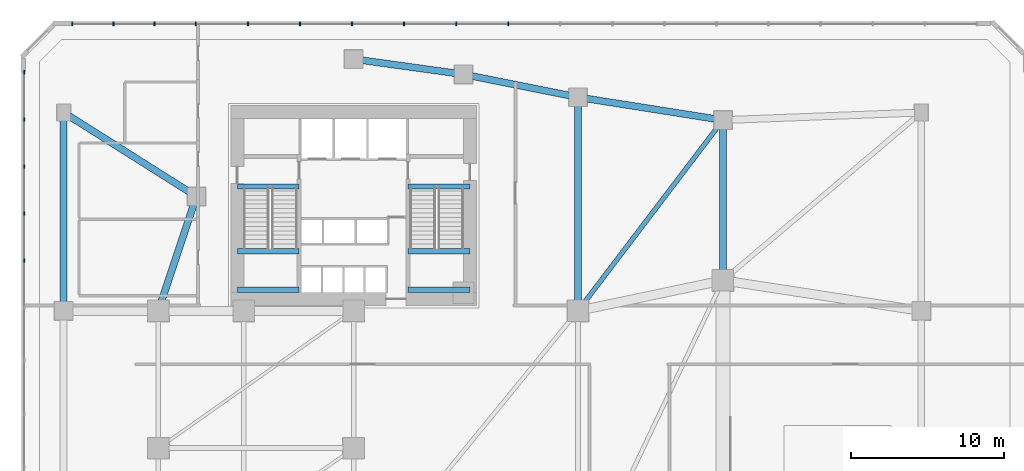
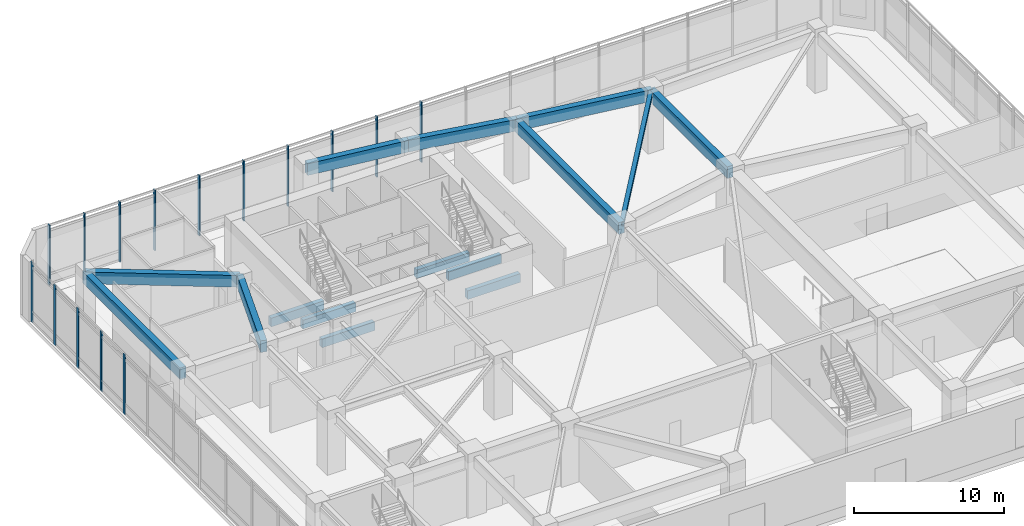
# One storey, part 5 of 15: 15 beams, 15 members, 2 elements without a shape of their own.
"""IFC4 building model written with IfcOpenShell, lengths in metres."""

from ifc_helpers import new_model, si_unit, direction, frame, origin, origin_2d, place, context, subcontext, project, spatial, rectangle, i_section, extrude, source, transform, mapped, material, material_profile, profile_set, type_object, element, aggregate, save


model = new_model("IFC4")

# Units and contexts
model_context = context("Model", 3, precision=1e-05, world=origin(), true_north=direction((0.0, 1.0)))
body_context = subcontext(model_context, "Body", "Model", "MODEL_VIEW")
ifc_project = project(units=[si_unit("LENGTHUNIT", "METRE"), si_unit("AREAUNIT", "SQUARE_METRE"), si_unit("VOLUMEUNIT", "CUBIC_METRE"), si_unit("PLANEANGLEUNIT", "RADIAN"), si_unit("MASSUNIT", "GRAM", prefix="KILO")], contexts=[model_context])

# Site, building, storey
site_placement = place(None, origin())
site = spatial("IfcSite", under=ifc_project, at=site_placement, CompositionType="ELEMENT")
building_placement = place(site_placement, origin())
building = spatial("IfcBuilding", under=site, at=building_placement, Name="Calvemar Wedge Station Tower", CompositionType="ELEMENT")
storey_placement = place(building_placement, frame((0.0, 0.0, 16.39990234375)))
storey = spatial("IfcBuildingStorey", under=building, at=storey_placement, Name="L04", CompositionType="ELEMENT", Elevation=16.39990234375)

# Beams
ifc_material_1 = material(Name="Concrete C70", Category="concrete")
ifc_material_profile_1 = material_profile(ifc_material_1, rectangle(XDim=0.35009765625, YDim=0.699951171875, at=origin_2d()), Name="RC350x700")
ifc_profile_set_1 = profile_set([ifc_material_profile_1], Name="Concrete C70")
beam_type_1 = type_object("IfcBeamType", Name="BM-LN1-700", PredefinedType="LINTEL", material=ifc_profile_set_1)
shared_shape_1 = source(origin(), body_context, "Body", "SweptSolid", [
    extrude(rectangle(XDim=0.35009765625, YDim=0.699951171875, at=origin_2d()), origin(), (0.0, 0.0, 1.0), 4.054931640625),
])
for number, where, z_axis, x_axis, name in (
    (1, (16.175048828125, 41.14990234375, -0.349853515625), (1.0, 0.0, 0.0), (0.0, 1.0, 0.0), "Storey L04 Stair ST-C1 Landing Trimmer Beam"),
    (2, (27.3701171875, 41.14990234375, -0.349853515625), (1.0, 0.0, 0.0), (0.0, 1.0, 0.0), "Storey L04 Stair ST-C2 Landing Trimmer Beam"),
    (3, (16.175048828125, 34.3798828125, 2.050048828125), (1.0, 0.0, 0.0), (0.0, 1.0, 0.0), "Storey L04 Stair ST-C1 Half-Landing Beam 1A"),
    (4, (16.175048828125, 36.909912109375, 2.050048828125), (1.0, 0.0, 0.0), (0.0, 1.0, 0.0), "Storey L04 Stair ST-C1 Half-Landing Beam 1B"),
    (5, (27.3701171875, 34.3798828125, 2.050048828125), (1.0, 0.0, 0.0), (0.0, 1.0, 0.0), "Storey L04 Stair ST-C2 Half-Landing Beam 1A"),
    (6, (27.3701171875, 36.909912109375, 2.050048828125), (1.0, 0.0, 0.0), (0.0, 1.0, 0.0), "Storey L04 Stair ST-C2 Half-Landing Beam 1B"),
):
    element("IfcBeam", number, at=place(storey_placement, frame(where, z_axis=z_axis, x_axis=x_axis)), inside=storey, type_object=beam_type_1, Name=name, PredefinedType="LINTEL", context=body_context, shape_type="MappedRepresentation", body=[
        mapped(shared_shape_1, transform((0.0, 0.0, 0.0), scale=1.0)),
    ])
ifc_material_2 = material(Name="Concrete C50", Category="concrete")
ifc_material_profile_2 = material_profile(ifc_material_2, rectangle(XDim=0.449951171875, YDim=0.949951171875, at=origin_2d()), Name="RC450x950")
ifc_profile_set_2 = profile_set([ifc_material_profile_2], Name="Concrete C50")
beam_type_2 = type_object("IfcBeamType", Name="BM-G2-950", PredefinedType="BEAM", material=ifc_profile_set_2)
shared_shape_2 = source(origin(), body_context, "Body", "SweptSolid", [
    extrude(rectangle(XDim=0.449951171875, YDim=0.949951171875, at=origin_2d()), origin(), (0.0, 0.0, 1.0), 13.0),
])
beam_1_placement = place(storey_placement, frame((4.800048828125, 33.0, 4.375), z_axis=(0.0, 1.0, 0.0), x_axis=(-1.0, 0.0, 0.0)))
element("IfcBeam", 7, at=beam_1_placement, inside=storey, type_object=beam_type_2, Name="Storey L04 Primary Girder G33", PredefinedType="BEAM", context=body_context, shape_type="MappedRepresentation", body=[
    mapped(shared_shape_2, transform((0.0, 0.0, 0.0), scale=1.0)),
])
shared_shape_3 = source(origin(), body_context, "Body", "SweptSolid", [
    extrude(rectangle(XDim=0.449951171875, YDim=0.949951171875, at=origin_2d()), origin(), (0.0, 0.0, 1.0), 7.90576171875),
])
beam_2_placement = place(storey_placement, frame((11.0, 33.0, 4.375), z_axis=(0.316227766017, 0.948683298051, 0.0), x_axis=(-0.948683298051, 0.316227766017, 0.0)))
element("IfcBeam", 8, at=beam_2_placement, inside=storey, type_object=beam_type_2, Name="Storey L04 Primary Girder G34", PredefinedType="BEAM", context=body_context, shape_type="MappedRepresentation", body=[
    mapped(shared_shape_3, transform((0.0, 0.0, 0.0), scale=1.0)),
])
shared_shape_4 = source(origin(), body_context, "Body", "SweptSolid", [
    extrude(rectangle(XDim=0.449951171875, YDim=0.949951171875, at=origin_2d()), origin(), (0.0, 0.0, 1.0), 14.0),
])
beam_3_placement = place(storey_placement, frame((38.5, 33.0, 4.375), z_axis=(0.0, 1.0, 0.0), x_axis=(-1.0, 0.0, 0.0)))
element("IfcBeam", 9, at=beam_3_placement, inside=storey, type_object=beam_type_2, Name="Storey L04 Primary Girder G35", PredefinedType="BEAM", context=body_context, shape_type="MappedRepresentation", body=[
    mapped(shared_shape_4, transform((0.0, 0.0, 0.0), scale=1.0)),
])
shared_shape_5 = source(origin(), body_context, "Body", "SweptSolid", [
    extrude(rectangle(XDim=0.449951171875, YDim=0.949951171875, at=origin_2d()), origin(), (0.0, 0.0, 1.0), 10.5),
])
beam_4_placement = place(storey_placement, frame((48.0, 35.0, 4.375), z_axis=(0.0, 1.0, 0.0), x_axis=(-1.0, 0.0, 0.0)))
element("IfcBeam", 10, at=beam_4_placement, inside=storey, type_object=beam_type_2, Name="Storey L04 Primary Girder G36", PredefinedType="BEAM", context=body_context, shape_type="MappedRepresentation", body=[
    mapped(shared_shape_5, transform((0.0, 0.0, 0.0), scale=1.0)),
])
shared_shape_6 = source(origin(), body_context, "Body", "SweptSolid", [
    extrude(rectangle(XDim=0.449951171875, YDim=0.949951171875, at=origin_2d()), origin(), (0.0, 0.0, 1.0), 10.292724609375),
])
beam_5_placement = place(storey_placement, frame((4.800048828125, 46.0, 4.375), z_axis=(0.845256603473, -0.534360621946, 0.0), x_axis=(0.534360621946, 0.845256603473, 0.0)))
element("IfcBeam", 11, at=beam_5_placement, inside=storey, type_object=beam_type_2, Name="Storey L04 Primary Girder G38", PredefinedType="BEAM", context=body_context, shape_type="MappedRepresentation", body=[
    mapped(shared_shape_6, transform((0.0, 0.0, 0.0), scale=1.0)),
])
shared_shape_7 = source(origin(), body_context, "Body", "SweptSolid", [
    extrude(rectangle(XDim=0.449951171875, YDim=0.949951171875, at=origin_2d()), origin(), (0.0, 0.0, 1.0), 7.26904296875),
])
beam_6_placement = place(storey_placement, frame((23.800048828125, 49.5, 4.375), z_axis=(0.990492146053, -0.13756928657, 0.0), x_axis=(0.13756928657, 0.990492146053, 0.0)))
element("IfcBeam", 12, at=beam_6_placement, inside=storey, type_object=beam_type_2, Name="Storey L04 Primary Girder G39", PredefinedType="BEAM", context=body_context, shape_type="MappedRepresentation", body=[
    mapped(shared_shape_7, transform((0.0, 0.0, 0.0), scale=1.0)),
])
shared_shape_8 = source(origin(), body_context, "Body", "SweptSolid", [
    extrude(rectangle(XDim=0.449951171875, YDim=0.949951171875, at=origin_2d()), origin(), (0.0, 0.0, 1.0), 7.6484375),
])
beam_7_placement = place(storey_placement, frame((31.0, 48.5, 4.375), z_axis=(0.980580675691, -0.196116135138, 0.0), x_axis=(0.196116135138, 0.980580675691, 0.0)))
element("IfcBeam", 13, at=beam_7_placement, inside=storey, type_object=beam_type_2, Name="Storey L04 Primary Girder G40", PredefinedType="BEAM", context=body_context, shape_type="MappedRepresentation", body=[
    mapped(shared_shape_8, transform((0.0, 0.0, 0.0), scale=1.0)),
])
shared_shape_9 = source(origin(), body_context, "Body", "SweptSolid", [
    extrude(rectangle(XDim=0.449951171875, YDim=0.949951171875, at=origin_2d()), origin(), (0.0, 0.0, 1.0), 9.61767578125),
])
beam_8_placement = place(storey_placement, frame((38.5, 47.0, 4.375), z_axis=(0.987762965329, -0.155962573473, 0.0), x_axis=(0.155962573473, 0.987762965329, 0.0)))
element("IfcBeam", 14, at=beam_8_placement, inside=storey, type_object=beam_type_2, Name="Storey L04 Primary Girder G41", PredefinedType="BEAM", context=body_context, shape_type="MappedRepresentation", body=[
    mapped(shared_shape_9, transform((0.0, 0.0, 0.0), scale=1.0)),
])
ifc_material_3 = material(Name="Structural steel ASTM A572 Grade 50", Category="steel")
ifc_material_profile_3 = material_profile(ifc_material_3, i_section(OverallWidth=0.30908203125, OverallDepth=0.322998046875, WebThickness=0.013916015625, FlangeThickness=0.02294921875, FilletRadius=0.014892578125, at=origin_2d()), Name="W310x143")
ifc_profile_set_3 = profile_set([ifc_material_profile_3], Name="Structural steel ASTM A572 Grade 50")
beam_type_3 = type_object("IfcBeamType", Name="BM-J5-W310H", PredefinedType="JOIST", material=ifc_profile_set_3)
shared_shape_10 = source(origin(), body_context, "Body", "SweptSolid", [
    extrude(i_section(OverallWidth=0.30908203125, OverallDepth=0.322998046875, WebThickness=0.013916015625, FlangeThickness=0.02294921875, FilletRadius=0.014892578125, at=origin_2d()), origin(), (0.0, 0.0, 1.0), 15.700439453125),
])
beam_9_placement = place(storey_placement, frame((38.5, 33.0, 4.6884765625), z_axis=(0.605083267534, 0.796162194123, 0.0), x_axis=(-0.796162194123, 0.605083267534, 0.0)))
element("IfcBeam", 15, at=beam_9_placement, inside=storey, type_object=beam_type_3, Name="Storey L04 Concourse Cross Joist 11", PredefinedType="JOIST", context=body_context, shape_type="MappedRepresentation", body=[
    mapped(shared_shape_10, transform((0.0, 0.0, 0.0), scale=1.0)),
])

# Curtain wall, members
ifc_material_4 = material(Name="Anodised aluminium 6063-T6", Category="aluminium")
curtain_wall_type = type_object("IfcCurtainWallType", Name="CW5", PredefinedType="NOTDEFINED", material=ifc_material_4)
curtain_wall_1_placement = place(storey_placement, origin())
curtain_wall_1 = element("IfcCurtainWall", 16, at=curtain_wall_1_placement, inside=storey, type_object=curtain_wall_type, Name="Storey L04 CW5 Recessed Unitised Curtain Wall 4", PredefinedType="NOTDEFINED")
ifc_material_profile_4 = material_profile(ifc_material_4, rectangle(XDim=0.0849609375, YDim=0.239990234375, at=origin_2d()), Name="AL-MUL-85x240")
ifc_profile_set_4 = profile_set([ifc_material_profile_4], Name="Anodised aluminium 6063-T6")
member_type = type_object("IfcMemberType", Name="CW5-MUL", PredefinedType="MULLION", material=ifc_profile_set_4)
shared_shape_11 = source(origin(), body_context, "Body", "SweptSolid", [
    extrude(rectangle(XDim=0.0849609375, YDim=0.239990234375, at=origin_2d()), origin(), (0.0, 0.0, 1.0), 4.89990234375),
])
member_1_placement = place(storey_placement, frame((33.93115234375, 51.7900390625, -0.0498046875), z_axis=(0.0, 0.0, 1.0), x_axis=(1.0, 0.0, 0.0)))
member_1 = element("IfcMember", 17, at=member_1_placement, type_object=member_type, Name="CW5 mullion 10", PredefinedType="MULLION", context=body_context, shape_type="MappedRepresentation", body=[
    mapped(shared_shape_11, transform((0.0, 0.0, 0.0), scale=1.0)),
])
member_2_placement = place(storey_placement, frame((30.519287109375, 51.7900390625, -0.0498046875), z_axis=(0.0, 0.0, 1.0), x_axis=(1.0, 0.0, 0.0)))
member_2 = element("IfcMember", 18, at=member_2_placement, type_object=member_type, Name="CW5 mullion 11", PredefinedType="MULLION", context=body_context, shape_type="MappedRepresentation", body=[
    mapped(shared_shape_11, transform((0.0, 0.0, 0.0), scale=1.0)),
])
member_3_placement = place(storey_placement, frame((27.107421875, 51.7900390625, -0.0498046875), z_axis=(0.0, 0.0, 1.0), x_axis=(1.0, 0.0, 0.0)))
member_3 = element("IfcMember", 19, at=member_3_placement, type_object=member_type, Name="CW5 mullion 12", PredefinedType="MULLION", context=body_context, shape_type="MappedRepresentation", body=[
    mapped(shared_shape_11, transform((0.0, 0.0, 0.0), scale=1.0)),
])
member_4_placement = place(storey_placement, frame((23.695556640625, 51.7900390625, -0.0498046875), z_axis=(0.0, 0.0, 1.0), x_axis=(1.0, 0.0, 0.0)))
member_4 = element("IfcMember", 20, at=member_4_placement, type_object=member_type, Name="CW5 mullion 13", PredefinedType="MULLION", context=body_context, shape_type="MappedRepresentation", body=[
    mapped(shared_shape_11, transform((0.0, 0.0, 0.0), scale=1.0)),
])
member_5_placement = place(storey_placement, frame((20.28369140625, 51.7900390625, -0.0498046875), z_axis=(0.0, 0.0, 1.0), x_axis=(1.0, 0.0, 0.0)))
member_5 = element("IfcMember", 21, at=member_5_placement, type_object=member_type, Name="CW5 mullion 14", PredefinedType="MULLION", context=body_context, shape_type="MappedRepresentation", body=[
    mapped(shared_shape_11, transform((0.0, 0.0, 0.0), scale=1.0)),
])
member_6_placement = place(storey_placement, frame((16.871826171875, 51.7900390625, -0.0498046875), z_axis=(0.0, 0.0, 1.0), x_axis=(1.0, 0.0, 0.0)))
member_6 = element("IfcMember", 22, at=member_6_placement, type_object=member_type, Name="CW5 mullion 15", PredefinedType="MULLION", context=body_context, shape_type="MappedRepresentation", body=[
    mapped(shared_shape_11, transform((0.0, 0.0, 0.0), scale=1.0)),
])
member_7_placement = place(storey_placement, frame((13.4599609375, 51.7900390625, -0.0498046875), z_axis=(0.0, 0.0, 1.0), x_axis=(1.0, 0.0, 0.0)))
member_7 = element("IfcMember", 23, at=member_7_placement, type_object=member_type, Name="CW5 mullion 16", PredefinedType="MULLION", context=body_context, shape_type="MappedRepresentation", body=[
    mapped(shared_shape_11, transform((0.0, 0.0, 0.0), scale=1.0)),
])
member_8_placement = place(storey_placement, frame((10.7607421875, 51.7900390625, -0.0498046875), z_axis=(0.0, 0.0, 1.0), x_axis=(1.0, 0.0, 0.0)))
member_8 = element("IfcMember", 24, at=member_8_placement, type_object=member_type, Name="CW5 mullion 17", PredefinedType="MULLION", context=body_context, shape_type="MappedRepresentation", body=[
    mapped(shared_shape_11, transform((0.0, 0.0, 0.0), scale=1.0)),
])
member_9_placement = place(storey_placement, frame((8.061279296875, 51.7900390625, -0.0498046875), z_axis=(0.0, 0.0, 1.0), x_axis=(1.0, 0.0, 0.0)))
member_9 = element("IfcMember", 25, at=member_9_placement, type_object=member_type, Name="CW5 mullion 18", PredefinedType="MULLION", context=body_context, shape_type="MappedRepresentation", body=[
    mapped(shared_shape_11, transform((0.0, 0.0, 0.0), scale=1.0)),
])
member_10_placement = place(storey_placement, frame((5.362060546875, 51.7900390625, -0.0498046875), z_axis=(0.0, 0.0, 1.0), x_axis=(1.0, 0.0, 0.0)))
member_10 = element("IfcMember", 26, at=member_10_placement, type_object=member_type, Name="CW5 mullion 19", PredefinedType="MULLION", context=body_context, shape_type="MappedRepresentation", body=[
    mapped(shared_shape_11, transform((0.0, 0.0, 0.0), scale=1.0)),
])
aggregate(curtain_wall_1, [member_1, member_2, member_3, member_4, member_5, member_6, member_7, member_8, member_9, member_10])

curtain_wall_2_placement = place(storey_placement, origin())
curtain_wall_2 = element("IfcCurtainWall", 27, at=curtain_wall_2_placement, inside=storey, type_object=curtain_wall_type, Name="Storey L04 CW5 Recessed Unitised Curtain Wall 6", PredefinedType="NOTDEFINED")
member_11_placement = place(storey_placement, frame((2.2099609375, 48.637939453125, -0.0498046875), z_axis=(0.0, 0.0, 1.0), x_axis=(1.0, 0.0, 0.0)))
member_11 = element("IfcMember", 28, at=member_11_placement, type_object=member_type, Name="CW5 mullion 1", PredefinedType="MULLION", context=body_context, shape_type="MappedRepresentation", body=[
    mapped(shared_shape_11, transform((0.0, 0.0, 0.0), scale=1.0)),
])
member_12_placement = place(storey_placement, frame((2.2099609375, 45.55224609375, -0.0498046875), z_axis=(0.0, 0.0, 1.0), x_axis=(1.0, 0.0, 0.0)))
member_12 = element("IfcMember", 29, at=member_12_placement, type_object=member_type, Name="CW5 mullion 2", PredefinedType="MULLION", context=body_context, shape_type="MappedRepresentation", body=[
    mapped(shared_shape_11, transform((0.0, 0.0, 0.0), scale=1.0)),
])
member_13_placement = place(storey_placement, frame((2.2099609375, 42.466796875, -0.0498046875), z_axis=(0.0, 0.0, 1.0), x_axis=(1.0, 0.0, 0.0)))
member_13 = element("IfcMember", 30, at=member_13_placement, type_object=member_type, Name="CW5 mullion 3", PredefinedType="MULLION", context=body_context, shape_type="MappedRepresentation", body=[
    mapped(shared_shape_11, transform((0.0, 0.0, 0.0), scale=1.0)),
])
member_14_placement = place(storey_placement, frame((2.2099609375, 39.381103515625, -0.0498046875), z_axis=(0.0, 0.0, 1.0), x_axis=(1.0, 0.0, 0.0)))
member_14 = element("IfcMember", 31, at=member_14_placement, type_object=member_type, Name="CW5 mullion 4", PredefinedType="MULLION", context=body_context, shape_type="MappedRepresentation", body=[
    mapped(shared_shape_11, transform((0.0, 0.0, 0.0), scale=1.0)),
])
member_15_placement = place(storey_placement, frame((2.2099609375, 36.295654296875, -0.0498046875), z_axis=(0.0, 0.0, 1.0), x_axis=(1.0, 0.0, 0.0)))
member_15 = element("IfcMember", 32, at=member_15_placement, type_object=member_type, Name="CW5 mullion 5", PredefinedType="MULLION", context=body_context, shape_type="MappedRepresentation", body=[
    mapped(shared_shape_11, transform((0.0, 0.0, 0.0), scale=1.0)),
])
aggregate(curtain_wall_2, [member_11, member_12, member_13, member_14, member_15])

save(model, "model.ifc")
